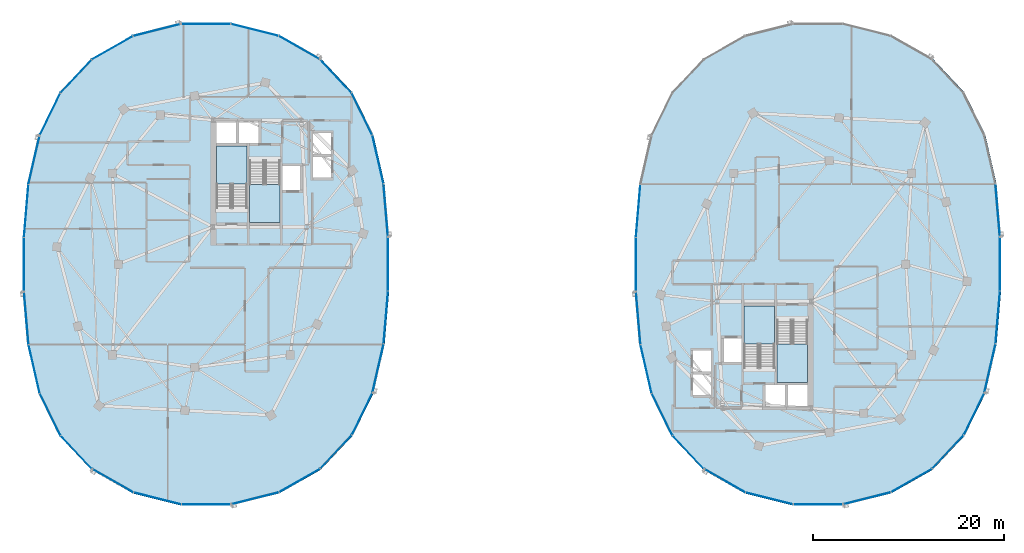
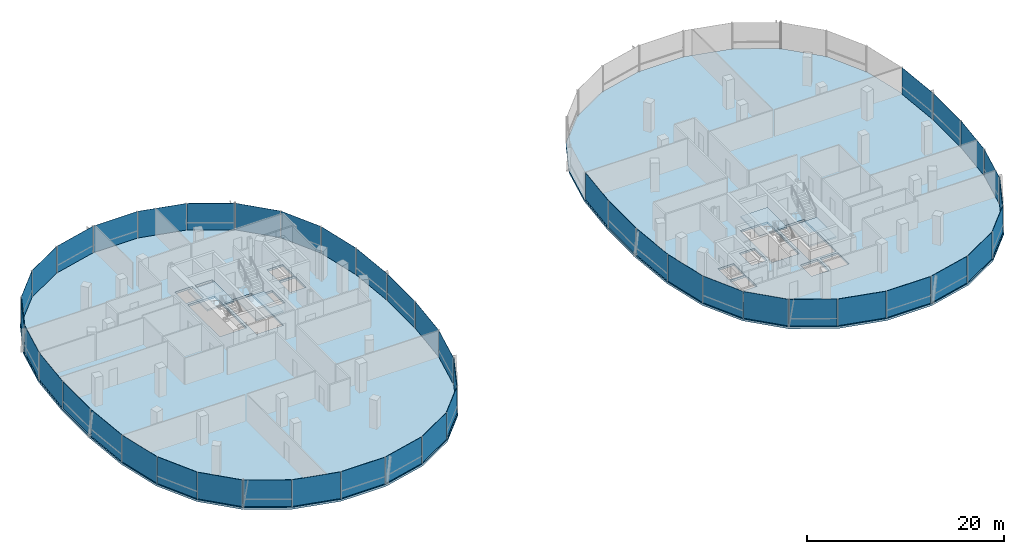
# One storey, part 13 of 25: 45 plates, 6 slabs, 12 elements without a shape of their own.
"""IFC4 building model written with IfcOpenShell, lengths in metres."""

import ifcopenshell
import ifcopenshell.guid

model = None  # the IFC model being written
_history = None  # IfcOwnerHistory: only IFC2X3 demands one
_inside = {}  # id of a spatial element -> (the spatial element, [elements in it])
_under = {}  # id of a project, library or spatial element -> (it, [spatial elements below it])
_declared = {}  # id of a project -> (the project, [libraries it declares])
_typed = {}  # id of a type object -> (the type object, [elements of that type])
_made_of = {}  # id of a material, layer set ... -> (it, [elements and type objects made of it])


def new_model(schema):
    """Start an empty IFC model of exactly this schema.

    Asked for "IFC4X3", IfcOpenShell would pick the latest addendum, in which some entities
    have other attributes; the version numbers below select the first issue.
    IFC2X3 requires an IfcOwnerHistory on every rooted entity: one is made here for all.
    """
    global model, _history
    if schema == "IFC4X3":
        model = ifcopenshell.file(schema_version=(4, 3, 0, 0))
    else:
        model = ifcopenshell.file(schema=schema)
    _inside.clear()
    _under.clear()
    _declared.clear()
    _typed.clear()
    _made_of.clear()
    _history = None
    if model.schema == "IFC2X3":
        org = make("IfcOrganization", Name="unknown")
        user = make(
            "IfcPersonAndOrganization",
            ThePerson=make("IfcPerson", FamilyName="unknown"),
            TheOrganization=org,
        )
        app = make(
            "IfcApplication",
            ApplicationDeveloper=org,
            Version="unknown",
            ApplicationFullName="unknown",
            ApplicationIdentifier="unknown",
        )
        _history = make(
            "IfcOwnerHistory",
            OwningUser=user,
            OwningApplication=app,
            ChangeAction="ADDED",
            CreationDate=0,
        )
    return model


def make(cls, **values):
    """One entity of the class cls with the attributes given. An attribute that is None is left unset."""
    return model.create_entity(
        cls, **{name: value for name, value in values.items() if value is not None}
    )


def rooted(cls, **values):
    """An entity with a GlobalId (a new one), such as an element, a storey or a relation."""
    return make(cls, GlobalId=ifcopenshell.guid.new(), OwnerHistory=_history, **values)


def si_unit(unit_type, name, prefix=None):
    """IfcSIUnit, for example si_unit("LENGTHUNIT", "METRE", prefix="MILLI")."""
    return make("IfcSIUnit", UnitType=unit_type, Prefix=prefix, Name=name)


def assignment(units):
    """IfcUnitAssignment: the units of a project."""
    return None if units is None else make("IfcUnitAssignment", Units=units)


def point(xyz):
    """IfcCartesianPoint."""
    return None if xyz is None else make("IfcCartesianPoint", Coordinates=xyz)


def direction(xyz):
    """IfcDirection."""
    return None if xyz is None else make("IfcDirection", DirectionRatios=xyz)


def frame(location, z_axis=None, x_axis=None):
    """IfcAxis2Placement3D, a coordinate frame: its origin and axes. An axis left out is left unset."""
    return make(
        "IfcAxis2Placement3D",
        Location=point(location),
        Axis=direction(z_axis),
        RefDirection=direction(x_axis),
    )


def frame_2d(location, x_axis=None):
    """IfcAxis2Placement2D, a coordinate frame in the plane: its origin and x axis."""
    return make(
        "IfcAxis2Placement2D", Location=point(location), RefDirection=direction(x_axis)
    )


def origin():
    """The frame at (0, 0, 0) with its axes left unset."""
    return frame((0.0, 0.0, 0.0))


def origin_2d():
    """The frame at (0, 0) in the plane with its x axis left unset."""
    return frame_2d((0.0, 0.0))


def place(relative_to, where):
    """IfcLocalPlacement: puts the frame where relative to a parent placement (None: the world)."""
    return make(
        "IfcLocalPlacement", PlacementRelTo=relative_to, RelativePlacement=where
    )


def context(
    kind, dimensions, precision=None, world=None, true_north=None, identifier=None
):
    """IfcGeometricRepresentationContext, for example the 3D "Model" context."""
    return make(
        "IfcGeometricRepresentationContext",
        ContextIdentifier=identifier,
        ContextType=kind,
        CoordinateSpaceDimension=dimensions,
        Precision=precision,
        WorldCoordinateSystem=world,
        TrueNorth=true_north,
    )


def subcontext(parent, identifier, kind, view, scale=None):
    """IfcGeometricRepresentationSubContext, for example "Body" below "Model"."""
    return make(
        "IfcGeometricRepresentationSubContext",
        ContextIdentifier=identifier,
        ContextType=kind,
        ParentContext=parent,
        TargetScale=scale,
        TargetView=view,
    )


def project(units=None, contexts=None):
    """IfcProject with its units and contexts."""
    return rooted(
        "IfcProject",
        Name="project",
        RepresentationContexts=contexts,
        UnitsInContext=assignment(units),
    )


def spatial(cls, under=None, at=None, **own):
    """A site, building, storey or space (cls), placed at a placement, below another one or the project."""
    s = rooted(cls, ObjectPlacement=at, **own)
    if under is not None:
        _under.setdefault(under.id(), (under, []))[1].append(s)
    return s


def polyline(points):
    """IfcPolyline through the points."""
    return make("IfcPolyline", Points=[point(p) for p in points])


def profile(cls, at=None, kind="AREA", **sizes):
    """A parametric profile (cls). Its sizes go by their IFC names, for example OverallWidth=200.0."""
    return make(cls, ProfileType=kind, Position=at, **sizes)


def rectangle(**sizes):
    """IfcRectangleProfileDef."""
    return profile("IfcRectangleProfileDef", **sizes)


def outline(outer, holes=None, kind="AREA"):
    """IfcArbitraryClosedProfileDef: a profile drawn as a closed curve; with holes, ...WithVoids."""
    if holes is None:
        return make("IfcArbitraryClosedProfileDef", ProfileType=kind, OuterCurve=outer)
    return make(
        "IfcArbitraryProfileDefWithVoids",
        ProfileType=kind,
        OuterCurve=outer,
        InnerCurves=holes,
    )


def extrude(swept, where, along, depth):
    """IfcExtrudedAreaSolid: the profile swept, set in the frame where, extruded along a direction by depth."""
    return make(
        "IfcExtrudedAreaSolid",
        SweptArea=swept,
        Position=where,
        ExtrudedDirection=direction(along),
        Depth=depth,
    )


def shape(context_of_items, identifier, shape_type, items):
    """IfcShapeRepresentation: the items that make up one representation, for example the "Body"."""
    return make(
        "IfcShapeRepresentation",
        ContextOfItems=context_of_items,
        RepresentationIdentifier=identifier,
        RepresentationType=shape_type,
        Items=items,
    )


def material(Name=None, Category=None):
    """IfcMaterial."""
    return make("IfcMaterial", Name=Name, Category=Category)


def layer(
    of_material, thickness, ventilated=None, Name=None, Category=None, Priority=None
):
    """IfcMaterialLayer: one layer of a wall or slab, of a material (None: an air gap)."""
    return make(
        "IfcMaterialLayer",
        Material=of_material,
        LayerThickness=thickness,
        IsVentilated=ventilated,
        Name=Name,
        Category=Category,
        Priority=Priority,
    )


def layer_set(layers, Name=None):
    """IfcMaterialLayerSet."""
    return make("IfcMaterialLayerSet", MaterialLayers=layers, LayerSetName=Name)


def made_of(thing, what):
    """Note that an element or type object is made of a material, layer set ...; save() writes the relation."""
    if what is not None:
        _made_of.setdefault(what.id(), (what, []))[1].append(thing)
    return thing


def type_object(cls, material=None, **own):
    """A type object (cls), such as IfcWallType, which elements share."""
    return made_of(rooted(cls, **own), material)


def element(
    cls,
    number,
    at=None,
    inside=None,
    cuts=None,
    type_object=None,
    material=None,
    context=None,
    identifier="Body",
    shape_type=None,
    held_by="IfcProductDefinitionShape",
    body=None,
    shapes=None,
    **own,
):
    """One element of the class cls, such as IfcWall. Its Tag is "e" and its number.

    at: its placement. inside: the storey or other place that contains it. cuts: it is an
    opening in that element (IfcRelVoidsElement). A single representation is given by context,
    identifier, shape_type and body (its items); several are given by shapes. held_by: the class
    of the entity that holds the representations. save() writes the other relations.
    """
    e = rooted(cls, Tag="e%d" % number, ObjectPlacement=at, **own)
    if body is not None:
        shapes = [shape(context, identifier, shape_type, body)]
    if shapes is not None:
        e.Representation = make(held_by, Representations=shapes)
    if inside is not None:
        _inside.setdefault(inside.id(), (inside, []))[1].append(e)
    if cuts is not None:
        rooted(
            "IfcRelVoidsElement", RelatingBuildingElement=cuts, RelatedOpeningElement=e
        )
    if type_object is not None:
        _typed.setdefault(type_object.id(), (type_object, []))[1].append(e)
    return made_of(e, material)


def aggregate(whole, parts):
    """IfcRelAggregates: a whole, such as a stair, and the parts it consists of."""
    return rooted("IfcRelAggregates", RelatingObject=whole, RelatedObjects=parts)


def save(model, path):
    """Write the relations noted so far, then the file.

    IfcRelAggregates (storeys below a building ...), IfcRelContainedInSpatialStructure (elements
    in a storey), IfcRelDefinesByType, IfcRelAssociatesMaterial and IfcRelDeclares: one each for
    every whole, place, type object, material and project.
    """
    for whole, parts in _under.values():
        aggregate(whole, parts)
    for where, things in _inside.values():
        rooted(
            "IfcRelContainedInSpatialStructure",
            RelatedElements=things,
            RelatingStructure=where,
        )
    for kind, things in _typed.values():
        rooted("IfcRelDefinesByType", RelatedObjects=things, RelatingType=kind)
    for what, things in _made_of.values():
        rooted("IfcRelAssociatesMaterial", RelatedObjects=things, RelatingMaterial=what)
    for by, libraries in _declared.values():
        rooted("IfcRelDeclares", RelatingContext=by, RelatedDefinitions=libraries)
    model.write(path)


model = new_model("IFC4")

# Units and contexts
model_context = context("Model", 3, precision=1e-05, world=origin(), true_north=direction((0.0, 1.0)))
body_context = subcontext(model_context, "Body", "Model", "MODEL_VIEW")
ifc_project = project(units=[si_unit("LENGTHUNIT", "METRE"), si_unit("AREAUNIT", "SQUARE_METRE"), si_unit("VOLUMEUNIT", "CUBIC_METRE"), si_unit("PLANEANGLEUNIT", "RADIAN"), si_unit("MASSUNIT", "GRAM", prefix="KILO"), si_unit("THERMODYNAMICTEMPERATUREUNIT", "KELVIN"), si_unit("POWERUNIT", "WATT")], contexts=[model_context])

# Site, building, storey
site_placement = place(None, origin())
site = spatial("IfcSite", under=ifc_project, at=site_placement, CompositionType="ELEMENT")
building_placement = place(site_placement, origin())
building = spatial("IfcBuilding", under=site, at=building_placement, Name="Cundina Bronze Exchange", CompositionType="ELEMENT")
storey_placement = place(building_placement, frame((0.0, 0.0, 209.800048828125)))
storey = spatial("IfcBuildingStorey", under=building, at=storey_placement, Name="L55", CompositionType="ELEMENT", Elevation=209.800048828125)

# Curtain wall, plates
ifc_material_1 = material(Name="Anodised Bronze Aluminium 6063-T6", Category="aluminium")
curtain_wall_type = type_object("IfcCurtainWallType", Name="CWS-UPP-OFF", PredefinedType="NOTDEFINED", material=ifc_material_1)
curtain_wall_1_placement = place(storey_placement, origin())
curtain_wall_1 = element("IfcCurtainWall", 1, at=curtain_wall_1_placement, inside=storey, type_object=curtain_wall_type, Name="L55 CW-05 Curtain Wall Run CWR-L55-W1", PredefinedType="NOTDEFINED")
ifc_material_2 = material(Name="Heat-Strengthened Solar-Control Bronze Safety Glass 28mm", Category="glass")
ifc_layer_1 = layer(ifc_material_2, 0.028076171875, Name="Heat-Strengthened Solar-Control Bronze Safety Glass 28mm", Category="glass")
ifc_layer_set_1 = layer_set([ifc_layer_1], Name="Heat-Strengthened Solar-Control Bronze Safety Glass 28mm")
plate_type_1 = type_object("IfcPlateType", Name="PLT-GLZ-VIS28", PredefinedType="CURTAIN_PANEL", material=ifc_layer_set_1)
plate_1_placement = place(storey_placement, frame((-13.198486328125, 5.60693359375, 0.02001953125), z_axis=(0.0, 0.0, 1.0), x_axis=(-0.083747411454, 0.996487015006, 0.0)))
plate_1 = element("IfcPlate", 2, at=plate_1_placement, type_object=plate_type_1, Name="CW-05 Glazed Panel 1", PredefinedType="CURTAIN_PANEL", context=body_context, shape_type="SweptSolid", body=[
    extrude(rectangle(XDim=5.474609375, YDim=0.028076171875, at=origin_2d()), origin(), (0.0, 0.0, 1.0), 3.300048828125),
])
plate_2_placement = place(storey_placement, frame((-14.01611328125, 10.92578125, 0.02001953125), z_axis=(0.0, 0.0, 1.0), x_axis=(-0.223284141459, 0.974753400698, 0.0)))
plate_2 = element("IfcPlate", 3, at=plate_2_placement, type_object=plate_type_1, Name="CW-05 Glazed Panel 2", PredefinedType="CURTAIN_PANEL", context=body_context, shape_type="SweptSolid", body=[
    extrude(rectangle(XDim=5.167724609375, YDim=0.028076171875, at=origin_2d()), origin(), (0.0, 0.0, 1.0), 3.300048828125),
])
plate_3_placement = place(storey_placement, frame((-15.685302734375, 15.686767578125, 0.02001953125), z_axis=(0.0, 0.0, 1.0), x_axis=(-0.440503330345, 0.897750976582, 0.0)))
plate_3 = element("IfcPlate", 4, at=plate_3_placement, type_object=plate_type_1, Name="CW-05 Glazed Panel 3", PredefinedType="CURTAIN_PANEL", context=body_context, shape_type="SweptSolid", body=[
    extrude(rectangle(XDim=4.863525390625, YDim=0.028076171875, at=origin_2d()), origin(), (0.0, 0.0, 1.0), 3.300048828125),
])
plate_4_placement = place(storey_placement, frame((-18.4208984375, 19.6552734375, 0.02001953125), z_axis=(0.0, 0.0, 1.0), x_axis=(-0.684343512797, 0.72915976061, 0.0)))
plate_4 = element("IfcPlate", 5, at=plate_4_placement, type_object=plate_type_1, Name="CW-05 Glazed Panel 4", PredefinedType="CURTAIN_PANEL", context=body_context, shape_type="SweptSolid", body=[
    extrude(rectangle(XDim=4.773193359375, YDim=0.028076171875, at=origin_2d()), origin(), (0.0, 0.0, 1.0), 3.300048828125),
])
plate_5_placement = place(storey_placement, frame((-26.88720703125, 24.49609375, 0.02001953125), z_axis=(0.0, 0.0, 1.0), x_axis=(-0.969731542251, 0.244173577528, 0.0)))
plate_5 = element("IfcPlate", 6, at=plate_5_placement, type_object=plate_type_1, Name="CW-05 Glazed Panel 6", PredefinedType="CURTAIN_PANEL", context=body_context, shape_type="SweptSolid", body=[
    extrude(rectangle(XDim=5.0908203125, YDim=0.028076171875, at=origin_2d()), origin(), (0.0, 0.0, 1.0), 3.300048828125),
])
plate_6_placement = place(storey_placement, frame((-32.0, 25.125, 0.02001953125), z_axis=(0.0, 0.0, 1.0), x_axis=(-1.0, 0.0, 0.0)))
plate_6 = element("IfcPlate", 7, at=plate_6_placement, type_object=plate_type_1, Name="CW-05 Glazed Panel 7", PredefinedType="CURTAIN_PANEL", context=body_context, shape_type="SweptSolid", body=[
    extrude(rectangle(XDim=5.16796875, YDim=0.028076171875, at=origin_2d()), origin(), (0.0, 0.0, 1.0), 3.300048828125),
])

curtain_wall_2_placement = place(storey_placement, origin())
curtain_wall_2 = element("IfcCurtainWall", 8, at=curtain_wall_2_placement, inside=storey, type_object=curtain_wall_type, Name="L55 CW-05 Curtain Wall Run CWR-L55-W2", PredefinedType="NOTDEFINED")
plate_7_placement = place(storey_placement, frame((-37.11279296875, 24.49609375, 0.02001953125), z_axis=(0.0, 0.0, 1.0), x_axis=(-0.969731542251, -0.244173577528, 0.0)))
plate_7 = element("IfcPlate", 9, at=plate_7_placement, type_object=plate_type_1, Name="CW-05 Glazed Panel 1", PredefinedType="CURTAIN_PANEL", context=body_context, shape_type="SweptSolid", body=[
    extrude(rectangle(XDim=5.0908203125, YDim=0.028076171875, at=origin_2d()), origin(), (0.0, 0.0, 1.0), 3.300048828125),
])
plate_8_placement = place(storey_placement, frame((-41.769287109375, 22.64111328125, 0.02001953125), z_axis=(0.0, 0.0, 1.0), x_axis=(-0.869572506985, -0.493805280547, 0.0)))
plate_8 = element("IfcPlate", 10, at=plate_8_placement, type_object=plate_type_1, Name="CW-05 Glazed Panel 2", PredefinedType="CURTAIN_PANEL", context=body_context, shape_type="SweptSolid", body=[
    extrude(rectangle(XDim=4.907958984375, YDim=0.028076171875, at=origin_2d()), origin(), (0.0, 0.0, 1.0), 3.300048828125),
])
plate_9_placement = place(storey_placement, frame((-45.5791015625, 19.6552734375, 0.02001953125), z_axis=(0.0, 0.0, 1.0), x_axis=(-0.684343512797, -0.72915976061, 0.0)))
plate_9 = element("IfcPlate", 11, at=plate_9_placement, type_object=plate_type_1, Name="CW-05 Glazed Panel 3", PredefinedType="CURTAIN_PANEL", context=body_context, shape_type="SweptSolid", body=[
    extrude(rectangle(XDim=4.773193359375, YDim=0.028076171875, at=origin_2d()), origin(), (0.0, 0.0, 1.0), 3.300048828125),
])
plate_10_placement = place(storey_placement, frame((-49.98388671875, 10.92578125, 0.02001953125), z_axis=(0.0, 0.0, 1.0), x_axis=(-0.223284141459, -0.974753400698, 0.0)))
plate_10 = element("IfcPlate", 12, at=plate_10_placement, type_object=plate_type_1, Name="CW-05 Glazed Panel 5", PredefinedType="CURTAIN_PANEL", context=body_context, shape_type="SweptSolid", body=[
    extrude(rectangle(XDim=5.167724609375, YDim=0.028076171875, at=origin_2d()), origin(), (0.0, 0.0, 1.0), 3.300048828125),
])
plate_11_placement = place(storey_placement, frame((-50.801513671875, 5.60693359375, 0.02001953125), z_axis=(0.0, 0.0, 1.0), x_axis=(-0.083747411454, -0.996487015006, 0.0)))
plate_11 = element("IfcPlate", 13, at=plate_11_placement, type_object=plate_type_1, Name="CW-05 Glazed Panel 6", PredefinedType="CURTAIN_PANEL", context=body_context, shape_type="SweptSolid", body=[
    extrude(rectangle(XDim=5.474609375, YDim=0.028076171875, at=origin_2d()), origin(), (0.0, 0.0, 1.0), 3.300048828125),
])
plate_12_placement = place(storey_placement, frame((-51.033935546875, 0.0, 0.02001953125), z_axis=(0.0, 0.0, 1.0), x_axis=(0.0, -1.0, 0.0)))
plate_12 = element("IfcPlate", 14, at=plate_12_placement, type_object=plate_type_1, Name="CW-05 Glazed Panel 7", PredefinedType="CURTAIN_PANEL", context=body_context, shape_type="SweptSolid", body=[
    extrude(rectangle(XDim=5.597900390625, YDim=0.028076171875, at=origin_2d()), origin(), (0.0, 0.0, 1.0), 3.300048828125),
])

curtain_wall_3_placement = place(storey_placement, origin())
curtain_wall_3 = element("IfcCurtainWall", 15, at=curtain_wall_3_placement, inside=storey, type_object=curtain_wall_type, Name="L55 CW-05 Curtain Wall Run CWR-L55-W3", PredefinedType="NOTDEFINED")
plate_13_placement = place(storey_placement, frame((-50.801513671875, -5.60693359375, 0.02001953125), z_axis=(0.0, 0.0, 1.0), x_axis=(0.083747411454, -0.996487015006, 0.0)))
plate_13 = element("IfcPlate", 16, at=plate_13_placement, type_object=plate_type_1, Name="CW-05 Glazed Panel 1", PredefinedType="CURTAIN_PANEL", context=body_context, shape_type="SweptSolid", body=[
    extrude(rectangle(XDim=5.474609375, YDim=0.028076171875, at=origin_2d()), origin(), (0.0, 0.0, 1.0), 3.300048828125),
])
plate_14_placement = place(storey_placement, frame((-49.98388671875, -10.92578125, 0.02001953125), z_axis=(0.0, 0.0, 1.0), x_axis=(0.223284141459, -0.974753400698, 0.0)))
plate_14 = element("IfcPlate", 17, at=plate_14_placement, type_object=plate_type_1, Name="CW-05 Glazed Panel 2", PredefinedType="CURTAIN_PANEL", context=body_context, shape_type="SweptSolid", body=[
    extrude(rectangle(XDim=5.167724609375, YDim=0.028076171875, at=origin_2d()), origin(), (0.0, 0.0, 1.0), 3.300048828125),
])
plate_15_placement = place(storey_placement, frame((-45.5791015625, -19.6552734375, 0.02001953125), z_axis=(0.0, 0.0, 1.0), x_axis=(0.684343512797, -0.72915976061, 0.0)))
plate_15 = element("IfcPlate", 18, at=plate_15_placement, type_object=plate_type_1, Name="CW-05 Glazed Panel 4", PredefinedType="CURTAIN_PANEL", context=body_context, shape_type="SweptSolid", body=[
    extrude(rectangle(XDim=4.773193359375, YDim=0.028076171875, at=origin_2d()), origin(), (0.0, 0.0, 1.0), 3.300048828125),
])
plate_16_placement = place(storey_placement, frame((-41.769287109375, -22.64111328125, 0.02001953125), z_axis=(0.0, 0.0, 1.0), x_axis=(0.869572506985, -0.493805280547, 0.0)))
plate_16 = element("IfcPlate", 19, at=plate_16_placement, type_object=plate_type_1, Name="CW-05 Glazed Panel 5", PredefinedType="CURTAIN_PANEL", context=body_context, shape_type="SweptSolid", body=[
    extrude(rectangle(XDim=4.907958984375, YDim=0.028076171875, at=origin_2d()), origin(), (0.0, 0.0, 1.0), 3.300048828125),
])
plate_17_placement = place(storey_placement, frame((-37.11279296875, -24.49609375, 0.02001953125), z_axis=(0.0, 0.0, 1.0), x_axis=(0.969731542251, -0.244173577528, 0.0)))
plate_17 = element("IfcPlate", 20, at=plate_17_placement, type_object=plate_type_1, Name="CW-05 Glazed Panel 6", PredefinedType="CURTAIN_PANEL", context=body_context, shape_type="SweptSolid", body=[
    extrude(rectangle(XDim=5.0908203125, YDim=0.028076171875, at=origin_2d()), origin(), (0.0, 0.0, 1.0), 3.300048828125),
])
plate_18_placement = place(storey_placement, frame((-32.0, -25.125, 0.02001953125), z_axis=(0.0, 0.0, 1.0), x_axis=(1.0, 0.0, 0.0)))
plate_18 = element("IfcPlate", 21, at=plate_18_placement, type_object=plate_type_1, Name="CW-05 Glazed Panel 7", PredefinedType="CURTAIN_PANEL", context=body_context, shape_type="SweptSolid", body=[
    extrude(rectangle(XDim=5.16796875, YDim=0.028076171875, at=origin_2d()), origin(), (0.0, 0.0, 1.0), 3.300048828125),
])

curtain_wall_4_placement = place(storey_placement, origin())
curtain_wall_4 = element("IfcCurtainWall", 22, at=curtain_wall_4_placement, inside=storey, type_object=curtain_wall_type, Name="L55 CW-05 Curtain Wall Run CWR-L55-W4", PredefinedType="NOTDEFINED")
plate_19_placement = place(storey_placement, frame((-26.88720703125, -24.49609375, 0.02001953125), z_axis=(0.0, 0.0, 1.0), x_axis=(0.969731542251, 0.244173577528, 0.0)))
plate_19 = element("IfcPlate", 23, at=plate_19_placement, type_object=plate_type_1, Name="CW-05 Glazed Panel 1", PredefinedType="CURTAIN_PANEL", context=body_context, shape_type="SweptSolid", body=[
    extrude(rectangle(XDim=5.0908203125, YDim=0.028076171875, at=origin_2d()), origin(), (0.0, 0.0, 1.0), 3.300048828125),
])
plate_20_placement = place(storey_placement, frame((-18.4208984375, -19.6552734375, 0.02001953125), z_axis=(0.0, 0.0, 1.0), x_axis=(0.684343512797, 0.72915976061, 0.0)))
plate_20 = element("IfcPlate", 24, at=plate_20_placement, type_object=plate_type_1, Name="CW-05 Glazed Panel 3", PredefinedType="CURTAIN_PANEL", context=body_context, shape_type="SweptSolid", body=[
    extrude(rectangle(XDim=4.773193359375, YDim=0.028076171875, at=origin_2d()), origin(), (0.0, 0.0, 1.0), 3.300048828125),
])
plate_21_placement = place(storey_placement, frame((-15.685302734375, -15.686767578125, 0.02001953125), z_axis=(0.0, 0.0, 1.0), x_axis=(0.440503330345, 0.897750976582, 0.0)))
plate_21 = element("IfcPlate", 25, at=plate_21_placement, type_object=plate_type_1, Name="CW-05 Glazed Panel 4", PredefinedType="CURTAIN_PANEL", context=body_context, shape_type="SweptSolid", body=[
    extrude(rectangle(XDim=4.863525390625, YDim=0.028076171875, at=origin_2d()), origin(), (0.0, 0.0, 1.0), 3.300048828125),
])
plate_22_placement = place(storey_placement, frame((-14.01611328125, -10.92578125, 0.02001953125), z_axis=(0.0, 0.0, 1.0), x_axis=(0.223284141459, 0.974753400698, 0.0)))
plate_22 = element("IfcPlate", 26, at=plate_22_placement, type_object=plate_type_1, Name="CW-05 Glazed Panel 5", PredefinedType="CURTAIN_PANEL", context=body_context, shape_type="SweptSolid", body=[
    extrude(rectangle(XDim=5.167724609375, YDim=0.028076171875, at=origin_2d()), origin(), (0.0, 0.0, 1.0), 3.300048828125),
])
plate_23_placement = place(storey_placement, frame((-13.198486328125, -5.60693359375, 0.02001953125), z_axis=(0.0, 0.0, 1.0), x_axis=(0.083747411454, 0.996487015006, 0.0)))
plate_23 = element("IfcPlate", 27, at=plate_23_placement, type_object=plate_type_1, Name="CW-05 Glazed Panel 6", PredefinedType="CURTAIN_PANEL", context=body_context, shape_type="SweptSolid", body=[
    extrude(rectangle(XDim=5.474609375, YDim=0.028076171875, at=origin_2d()), origin(), (0.0, 0.0, 1.0), 3.300048828125),
])

# Curtain wall, plate
curtain_wall_5_placement = place(storey_placement, origin())
curtain_wall_5 = element("IfcCurtainWall", 28, at=curtain_wall_5_placement, inside=storey, type_object=curtain_wall_type, Name="L55 CW-05 Curtain Wall Run CWR-L55-E1", PredefinedType="NOTDEFINED")
plate_24_placement = place(storey_placement, frame((50.801513671875, 5.60693359375, 0.02001953125), z_axis=(0.0, 0.0, 1.0), x_axis=(-0.083747411454, 0.996487015006, 0.0)))
plate_24 = element("IfcPlate", 29, at=plate_24_placement, type_object=plate_type_1, Name="CW-05 Glazed Panel 1", PredefinedType="CURTAIN_PANEL", context=body_context, shape_type="SweptSolid", body=[
    extrude(rectangle(XDim=5.474609375, YDim=0.028076171875, at=origin_2d()), origin(), (0.0, 0.0, 1.0), 3.300048828125),
])
aggregate(curtain_wall_5, [plate_24])

# Curtain wall, plates
curtain_wall_6_placement = place(storey_placement, origin())
curtain_wall_6 = element("IfcCurtainWall", 30, at=curtain_wall_6_placement, inside=storey, type_object=curtain_wall_type, Name="L55 CW-05 Curtain Wall Run CWR-L55-E2", PredefinedType="NOTDEFINED")
plate_25_placement = place(storey_placement, frame((13.198486328125, 5.60693359375, 0.02001953125), z_axis=(0.0, 0.0, 1.0), x_axis=(-0.083747411454, -0.996487015006, 0.0)))
plate_25 = element("IfcPlate", 31, at=plate_25_placement, type_object=plate_type_1, Name="CW-05 Glazed Panel 6", PredefinedType="CURTAIN_PANEL", context=body_context, shape_type="SweptSolid", body=[
    extrude(rectangle(XDim=5.474609375, YDim=0.028076171875, at=origin_2d()), origin(), (0.0, 0.0, 1.0), 3.300048828125),
])
plate_26_placement = place(storey_placement, frame((12.966064453125, 0.0, 0.02001953125), z_axis=(0.0, 0.0, 1.0), x_axis=(0.0, -1.0, 0.0)))
plate_26 = element("IfcPlate", 32, at=plate_26_placement, type_object=plate_type_1, Name="CW-05 Glazed Panel 7", PredefinedType="CURTAIN_PANEL", context=body_context, shape_type="SweptSolid", body=[
    extrude(rectangle(XDim=5.597900390625, YDim=0.028076171875, at=origin_2d()), origin(), (0.0, 0.0, 1.0), 3.300048828125),
])
aggregate(curtain_wall_6, [plate_25, plate_26])

curtain_wall_7_placement = place(storey_placement, origin())
curtain_wall_7 = element("IfcCurtainWall", 33, at=curtain_wall_7_placement, inside=storey, type_object=curtain_wall_type, Name="L55 CW-05 Curtain Wall Run CWR-L55-E3", PredefinedType="NOTDEFINED")
plate_27_placement = place(storey_placement, frame((13.198486328125, -5.60693359375, 0.02001953125), z_axis=(0.0, 0.0, 1.0), x_axis=(0.083747411454, -0.996487015006, 0.0)))
plate_27 = element("IfcPlate", 34, at=plate_27_placement, type_object=plate_type_1, Name="CW-05 Glazed Panel 1", PredefinedType="CURTAIN_PANEL", context=body_context, shape_type="SweptSolid", body=[
    extrude(rectangle(XDim=5.474609375, YDim=0.028076171875, at=origin_2d()), origin(), (0.0, 0.0, 1.0), 3.300048828125),
])
plate_28_placement = place(storey_placement, frame((14.01611328125, -10.92578125, 0.02001953125), z_axis=(0.0, 0.0, 1.0), x_axis=(0.223284141459, -0.974753400698, 0.0)))
plate_28 = element("IfcPlate", 35, at=plate_28_placement, type_object=plate_type_1, Name="CW-05 Glazed Panel 2", PredefinedType="CURTAIN_PANEL", context=body_context, shape_type="SweptSolid", body=[
    extrude(rectangle(XDim=5.167724609375, YDim=0.028076171875, at=origin_2d()), origin(), (0.0, 0.0, 1.0), 3.300048828125),
])
plate_29_placement = place(storey_placement, frame((18.4208984375, -19.6552734375, 0.02001953125), z_axis=(0.0, 0.0, 1.0), x_axis=(0.684343512797, -0.72915976061, 0.0)))
plate_29 = element("IfcPlate", 36, at=plate_29_placement, type_object=plate_type_1, Name="CW-05 Glazed Panel 4", PredefinedType="CURTAIN_PANEL", context=body_context, shape_type="SweptSolid", body=[
    extrude(rectangle(XDim=4.773193359375, YDim=0.028076171875, at=origin_2d()), origin(), (0.0, 0.0, 1.0), 3.300048828125),
])
plate_30_placement = place(storey_placement, frame((22.230712890625, -22.64111328125, 0.02001953125), z_axis=(0.0, 0.0, 1.0), x_axis=(0.869572506985, -0.493805280547, 0.0)))
plate_30 = element("IfcPlate", 37, at=plate_30_placement, type_object=plate_type_1, Name="CW-05 Glazed Panel 5", PredefinedType="CURTAIN_PANEL", context=body_context, shape_type="SweptSolid", body=[
    extrude(rectangle(XDim=4.907958984375, YDim=0.028076171875, at=origin_2d()), origin(), (0.0, 0.0, 1.0), 3.300048828125),
])
plate_31_placement = place(storey_placement, frame((26.88720703125, -24.49609375, 0.02001953125), z_axis=(0.0, 0.0, 1.0), x_axis=(0.969731542251, -0.244173577528, 0.0)))
plate_31 = element("IfcPlate", 38, at=plate_31_placement, type_object=plate_type_1, Name="CW-05 Glazed Panel 6", PredefinedType="CURTAIN_PANEL", context=body_context, shape_type="SweptSolid", body=[
    extrude(rectangle(XDim=5.0908203125, YDim=0.028076171875, at=origin_2d()), origin(), (0.0, 0.0, 1.0), 3.300048828125),
])
plate_32_placement = place(storey_placement, frame((32.0, -25.125, 0.02001953125), z_axis=(0.0, 0.0, 1.0), x_axis=(1.0, 0.0, 0.0)))
plate_32 = element("IfcPlate", 39, at=plate_32_placement, type_object=plate_type_1, Name="CW-05 Glazed Panel 7", PredefinedType="CURTAIN_PANEL", context=body_context, shape_type="SweptSolid", body=[
    extrude(rectangle(XDim=5.16796875, YDim=0.028076171875, at=origin_2d()), origin(), (0.0, 0.0, 1.0), 3.300048828125),
])

curtain_wall_8_placement = place(storey_placement, origin())
curtain_wall_8 = element("IfcCurtainWall", 40, at=curtain_wall_8_placement, inside=storey, type_object=curtain_wall_type, Name="L55 CW-05 Curtain Wall Run CWR-L55-E4", PredefinedType="NOTDEFINED")
plate_33_placement = place(storey_placement, frame((37.11279296875, -24.49609375, 0.02001953125), z_axis=(0.0, 0.0, 1.0), x_axis=(0.969731542251, 0.244173577528, 0.0)))
plate_33 = element("IfcPlate", 41, at=plate_33_placement, type_object=plate_type_1, Name="CW-05 Glazed Panel 1", PredefinedType="CURTAIN_PANEL", context=body_context, shape_type="SweptSolid", body=[
    extrude(rectangle(XDim=5.0908203125, YDim=0.028076171875, at=origin_2d()), origin(), (0.0, 0.0, 1.0), 3.300048828125),
])
plate_34_placement = place(storey_placement, frame((45.5791015625, -19.6552734375, 0.02001953125), z_axis=(0.0, 0.0, 1.0), x_axis=(0.684343512797, 0.72915976061, 0.0)))
plate_34 = element("IfcPlate", 42, at=plate_34_placement, type_object=plate_type_1, Name="CW-05 Glazed Panel 3", PredefinedType="CURTAIN_PANEL", context=body_context, shape_type="SweptSolid", body=[
    extrude(rectangle(XDim=4.773193359375, YDim=0.028076171875, at=origin_2d()), origin(), (0.0, 0.0, 1.0), 3.300048828125),
])
plate_35_placement = place(storey_placement, frame((48.314697265625, -15.686767578125, 0.02001953125), z_axis=(0.0, 0.0, 1.0), x_axis=(0.440503330345, 0.897750976582, 0.0)))
plate_35 = element("IfcPlate", 43, at=plate_35_placement, type_object=plate_type_1, Name="CW-05 Glazed Panel 4", PredefinedType="CURTAIN_PANEL", context=body_context, shape_type="SweptSolid", body=[
    extrude(rectangle(XDim=4.863525390625, YDim=0.028076171875, at=origin_2d()), origin(), (0.0, 0.0, 1.0), 3.300048828125),
])
plate_36_placement = place(storey_placement, frame((49.98388671875, -10.92578125, 0.02001953125), z_axis=(0.0, 0.0, 1.0), x_axis=(0.223284141459, 0.974753400698, 0.0)))
plate_36 = element("IfcPlate", 44, at=plate_36_placement, type_object=plate_type_1, Name="CW-05 Glazed Panel 5", PredefinedType="CURTAIN_PANEL", context=body_context, shape_type="SweptSolid", body=[
    extrude(rectangle(XDim=5.167724609375, YDim=0.028076171875, at=origin_2d()), origin(), (0.0, 0.0, 1.0), 3.300048828125),
])
plate_37_placement = place(storey_placement, frame((50.801513671875, -5.60693359375, 0.02001953125), z_axis=(0.0, 0.0, 1.0), x_axis=(0.083747411454, 0.996487015006, 0.0)))
plate_37 = element("IfcPlate", 45, at=plate_37_placement, type_object=plate_type_1, Name="CW-05 Glazed Panel 6", PredefinedType="CURTAIN_PANEL", context=body_context, shape_type="SweptSolid", body=[
    extrude(rectangle(XDim=5.474609375, YDim=0.028076171875, at=origin_2d()), origin(), (0.0, 0.0, 1.0), 3.300048828125),
])

# Plate
ifc_material_3 = material(Name="Dark Bronze Spandrel Glass Panel 32mm", Category="glass")
ifc_layer_2 = layer(ifc_material_3, 0.031982421875, Name="Dark Bronze Spandrel Glass Panel 32mm", Category="glass")
ifc_layer_set_2 = layer_set([ifc_layer_2], Name="Dark Bronze Spandrel Glass Panel 32mm")
plate_type_2 = type_object("IfcPlateType", Name="PLT-SPN-BRZ32", PredefinedType="CURTAIN_PANEL", material=ifc_layer_set_2)
plate_38_placement = place(storey_placement, frame((-22.230712890625, 22.64111328125, 0.02001953125), z_axis=(0.0, 0.0, 1.0), x_axis=(-0.869572506985, 0.493805280547, 0.0)))
plate_38 = element("IfcPlate", 46, at=plate_38_placement, type_object=plate_type_2, Name="CW-05 Glazed Panel 5", PredefinedType="CURTAIN_PANEL", context=body_context, shape_type="SweptSolid", body=[
    extrude(rectangle(XDim=4.907958984375, YDim=0.031982421875, at=origin_2d()), origin(), (0.0, 0.0, 1.0), 3.300048828125),
])

aggregate(curtain_wall_1, [plate_1, plate_2, plate_3, plate_4, plate_38, plate_5, plate_6])

plate_39_placement = place(storey_placement, frame((-48.314697265625, 15.686767578125, 0.02001953125), z_axis=(0.0, 0.0, 1.0), x_axis=(-0.440503330345, -0.897750976582, 0.0)))
plate_39 = element("IfcPlate", 47, at=plate_39_placement, type_object=plate_type_2, Name="CW-05 Glazed Panel 4", PredefinedType="CURTAIN_PANEL", context=body_context, shape_type="SweptSolid", body=[
    extrude(rectangle(XDim=4.863525390625, YDim=0.031982421875, at=origin_2d()), origin(), (0.0, 0.0, 1.0), 3.300048828125),
])

aggregate(curtain_wall_2, [plate_7, plate_8, plate_9, plate_39, plate_10, plate_11, plate_12])

plate_40_placement = place(storey_placement, frame((-48.314697265625, -15.686767578125, 0.02001953125), z_axis=(0.0, 0.0, 1.0), x_axis=(0.440503330345, -0.897750976582, 0.0)))
plate_40 = element("IfcPlate", 48, at=plate_40_placement, type_object=plate_type_2, Name="CW-05 Glazed Panel 3", PredefinedType="CURTAIN_PANEL", context=body_context, shape_type="SweptSolid", body=[
    extrude(rectangle(XDim=4.863525390625, YDim=0.031982421875, at=origin_2d()), origin(), (0.0, 0.0, 1.0), 3.300048828125),
])

aggregate(curtain_wall_3, [plate_13, plate_14, plate_40, plate_15, plate_16, plate_17, plate_18])

plate_41_placement = place(storey_placement, frame((-22.230712890625, -22.64111328125, 0.02001953125), z_axis=(0.0, 0.0, 1.0), x_axis=(0.869572506985, 0.493805280547, 0.0)))
plate_41 = element("IfcPlate", 49, at=plate_41_placement, type_object=plate_type_2, Name="CW-05 Glazed Panel 2", PredefinedType="CURTAIN_PANEL", context=body_context, shape_type="SweptSolid", body=[
    extrude(rectangle(XDim=4.907958984375, YDim=0.031982421875, at=origin_2d()), origin(), (0.0, 0.0, 1.0), 3.300048828125),
])

plate_42_placement = place(storey_placement, frame((-12.966064453125, 0.0, 0.02001953125), z_axis=(0.0, 0.0, 1.0), x_axis=(0.0, 1.0, 0.0)))
plate_42 = element("IfcPlate", 50, at=plate_42_placement, type_object=plate_type_2, Name="CW-05 Glazed Panel 7", PredefinedType="CURTAIN_PANEL", context=body_context, shape_type="SweptSolid", body=[
    extrude(rectangle(XDim=5.597900390625, YDim=0.031982421875, at=origin_2d()), origin(), (0.0, 0.0, 1.0), 3.300048828125),
])

aggregate(curtain_wall_4, [plate_19, plate_41, plate_20, plate_21, plate_22, plate_23, plate_42])

plate_43_placement = place(storey_placement, frame((15.685302734375, -15.686767578125, 0.02001953125), z_axis=(0.0, 0.0, 1.0), x_axis=(0.440503330345, -0.897750976582, 0.0)))
plate_43 = element("IfcPlate", 51, at=plate_43_placement, type_object=plate_type_2, Name="CW-05 Glazed Panel 3", PredefinedType="CURTAIN_PANEL", context=body_context, shape_type="SweptSolid", body=[
    extrude(rectangle(XDim=4.863525390625, YDim=0.031982421875, at=origin_2d()), origin(), (0.0, 0.0, 1.0), 3.300048828125),
])

aggregate(curtain_wall_7, [plate_27, plate_28, plate_43, plate_29, plate_30, plate_31, plate_32])

plate_44_placement = place(storey_placement, frame((41.769287109375, -22.64111328125, 0.02001953125), z_axis=(0.0, 0.0, 1.0), x_axis=(0.869572506985, 0.493805280547, 0.0)))
plate_44 = element("IfcPlate", 52, at=plate_44_placement, type_object=plate_type_2, Name="CW-05 Glazed Panel 2", PredefinedType="CURTAIN_PANEL", context=body_context, shape_type="SweptSolid", body=[
    extrude(rectangle(XDim=4.907958984375, YDim=0.031982421875, at=origin_2d()), origin(), (0.0, 0.0, 1.0), 3.300048828125),
])

plate_45_placement = place(storey_placement, frame((51.033935546875, 0.0, 0.02001953125), z_axis=(0.0, 0.0, 1.0), x_axis=(0.0, 1.0, 0.0)))
plate_45 = element("IfcPlate", 53, at=plate_45_placement, type_object=plate_type_2, Name="CW-05 Glazed Panel 7", PredefinedType="CURTAIN_PANEL", context=body_context, shape_type="SweptSolid", body=[
    extrude(rectangle(XDim=5.597900390625, YDim=0.031982421875, at=origin_2d()), origin(), (0.0, 0.0, 1.0), 3.300048828125),
])

aggregate(curtain_wall_8, [plate_33, plate_44, plate_34, plate_35, plate_36, plate_37, plate_45])

# Stair, slab
ifc_material_4 = material(Name="Concrete C40/50", Category="concrete")
stair_type = type_object("IfcStairType", Name="STR-OFF-360", PredefinedType="HALF_TURN_STAIR", material=ifc_material_4)
stair_1_placement = place(storey_placement, origin())
stair_1 = element("IfcStair", 54, at=stair_1_placement, inside=storey, type_object=stair_type, Name="L55 Smokeproof Exit Stair W1", PredefinedType="HALF_TURN_STAIR")
ifc_layer_3 = layer(ifc_material_4, 0.199951171875, Name="Concrete C40/50", Category="concrete")
ifc_layer_set_3 = layer_set([ifc_layer_3], Name="Concrete C40/50")
slab_type_1 = type_object("IfcSlabType", Name="SLB-LND-200", PredefinedType="LANDING", material=ifc_layer_set_3)
slab_1_placement = place(storey_placement, frame((0.0, 0.0, 1.599853515625)))
slab_1 = element("IfcSlab", 55, at=slab_1_placement, type_object=slab_type_1, Name="ST-W1 landing 1", PredefinedType="LANDING", context=body_context, shape_type="SweptSolid", body=[
    extrude(outline(polyline([(-27.739990234375, 8.3701171875), (-27.739990234375, 12.35009765625), (-30.89990234375, 12.35009765625), (-30.89990234375, 8.3701171875), (-27.739990234375, 8.3701171875)])), origin(), (0.0, 0.0, 1.0), 0.2001953125),
])
aggregate(stair_1, [slab_1])

stair_2_placement = place(storey_placement, origin())
stair_2 = element("IfcStair", 56, at=stair_2_placement, inside=storey, type_object=stair_type, Name="L55 Smokeproof Exit Stair W2", PredefinedType="HALF_TURN_STAIR")
slab_2_placement = place(storey_placement, frame((0.0, 0.0, 1.599853515625)))
slab_2 = element("IfcSlab", 57, at=slab_2_placement, type_object=slab_type_1, Name="ST-W2 landing 1", PredefinedType="LANDING", context=body_context, shape_type="SweptSolid", body=[
    extrude(outline(polyline([(-27.43994140625, 8.330078125), (-27.43994140625, 4.35009765625), (-24.280029296875, 4.35009765625), (-24.280029296875, 8.330078125), (-27.43994140625, 8.330078125)])), origin(), (0.0, 0.0, 1.0), 0.2001953125),
])
aggregate(stair_2, [slab_2])

stair_3_placement = place(storey_placement, origin())
stair_3 = element("IfcStair", 58, at=stair_3_placement, inside=storey, type_object=stair_type, Name="L55 Smokeproof Exit Stair E1", PredefinedType="HALF_TURN_STAIR")
slab_3_placement = place(storey_placement, frame((0.0, 0.0, 1.599853515625)))
slab_3 = element("IfcSlab", 59, at=slab_3_placement, type_object=slab_type_1, Name="ST-E1 landing 1", PredefinedType="LANDING", context=body_context, shape_type="SweptSolid", body=[
    extrude(outline(polyline([(27.739990234375, -8.3701171875), (27.739990234375, -12.35009765625), (30.89990234375, -12.35009765625), (30.89990234375, -8.3701171875), (27.739990234375, -8.3701171875)])), origin(), (0.0, 0.0, 1.0), 0.2001953125),
])
aggregate(stair_3, [slab_3])

stair_4_placement = place(storey_placement, origin())
stair_4 = element("IfcStair", 60, at=stair_4_placement, inside=storey, type_object=stair_type, Name="L55 Smokeproof Exit Stair E2", PredefinedType="HALF_TURN_STAIR")
slab_4_placement = place(storey_placement, frame((0.0, 0.0, 1.599853515625)))
slab_4 = element("IfcSlab", 61, at=slab_4_placement, type_object=slab_type_1, Name="ST-E2 landing 1", PredefinedType="LANDING", context=body_context, shape_type="SweptSolid", body=[
    extrude(outline(polyline([(27.43994140625, -8.330078125), (27.43994140625, -4.35009765625), (24.280029296875, -4.35009765625), (24.280029296875, -8.330078125), (27.43994140625, -8.330078125)])), origin(), (0.0, 0.0, 1.0), 0.2001953125),
])
aggregate(stair_4, [slab_4])

# Slabs
ifc_material_5 = material(Name="Concrete C50/60", Category="concrete")
ifc_layer_4 = layer(ifc_material_5, 0.260009765625, Name="Concrete C50/60", Category="concrete")
ifc_layer_set_4 = layer_set([ifc_layer_4], Name="Concrete C50/60")
slab_type_2 = type_object("IfcSlabType", Name="SLB-OFF-260", PredefinedType="FLOOR", material=ifc_layer_set_4)
slab_5_placement = place(storey_placement, frame((0.0, 0.0, -0.260009765625)))
element("IfcSlab", 62, at=slab_5_placement, inside=storey, type_object=slab_type_2, Name="L55 Leg W Structural Floor Slab", PredefinedType="FLOOR", context=body_context, shape_type="SweptSolid", body=[
    extrude(outline(polyline([(-12.85107421875, 2.843994140625), (-13.31689453125, 8.388916015625), (-14.490966796875, 13.513916015625), (-16.673095703125, 17.9609375), (-20.0009765625, 21.507080078125), (-24.346923828125, 23.97509765625), (-29.37109375, 25.239990234375), (-34.62890625, 25.239990234375), (-39.653076171875, 23.97509765625), (-43.9990234375, 21.507080078125), (-47.326904296875, 17.9609375), (-49.509033203125, 13.513916015625), (-50.68310546875, 8.388916015625), (-51.14892578125, 2.843994140625), (-51.14892578125, -2.843994140625), (-50.68310546875, -8.388916015625), (-49.509033203125, -13.513916015625), (-47.326904296875, -17.9609375), (-43.9990234375, -21.507080078125), (-39.653076171875, -23.97509765625), (-34.62890625, -25.239990234375), (-29.37109375, -25.239990234375), (-24.346923828125, -23.97509765625), (-20.0009765625, -21.507080078125), (-16.673095703125, -17.9609375), (-14.490966796875, -13.513916015625), (-13.31689453125, -8.388916015625), (-12.85107421875, -2.843994140625), (-12.85107421875, 2.843994140625)]), holes=[polyline([(-27.739990234375, 5.85009765625), (-27.739990234375, 12.35009765625), (-30.89990234375, 12.35009765625), (-30.89990234375, 5.85009765625), (-27.739990234375, 5.85009765625)]), polyline([(-27.43994140625, 10.85009765625), (-27.43994140625, 4.35009765625), (-24.280029296875, 4.35009765625), (-24.280029296875, 10.85009765625), (-27.43994140625, 10.85009765625)]), polyline([(-23.97998046875, 10.25), (-22.179931640625, 10.25), (-22.179931640625, 7.75), (-23.97998046875, 7.75), (-23.97998046875, 10.25)]), polyline([(-30.89990234375, 14.949951171875), (-28.85009765625, 14.949951171875), (-28.85009765625, 12.64990234375), (-30.89990234375, 12.64990234375), (-30.89990234375, 14.949951171875)]), polyline([(-28.550048828125, 14.949951171875), (-26.5, 14.949951171875), (-26.5, 12.64990234375), (-28.550048828125, 12.64990234375), (-28.550048828125, 14.949951171875)]), polyline([(-20.800048828125, 13.699951171875), (-18.949951171875, 13.699951171875), (-18.949951171875, 11.449951171875), (-20.800048828125, 11.449951171875), (-20.800048828125, 13.699951171875)]), polyline([(-20.800048828125, 11.300048828125), (-18.949951171875, 11.300048828125), (-18.949951171875, 9.050048828125), (-20.800048828125, 9.050048828125), (-20.800048828125, 11.300048828125)])]), origin(), (0.0, 0.0, 1.0), 0.260009765625),
])
slab_6_placement = place(storey_placement, frame((0.0, 0.0, -0.260009765625)))
element("IfcSlab", 63, at=slab_6_placement, inside=storey, type_object=slab_type_2, Name="L55 Leg E Structural Floor Slab", PredefinedType="FLOOR", context=body_context, shape_type="SweptSolid", body=[
    extrude(outline(polyline([(51.14892578125, 2.843994140625), (50.68310546875, 8.388916015625), (49.509033203125, 13.513916015625), (47.326904296875, 17.9609375), (43.9990234375, 21.507080078125), (39.653076171875, 23.97509765625), (34.62890625, 25.239990234375), (29.37109375, 25.239990234375), (24.346923828125, 23.97509765625), (20.0009765625, 21.507080078125), (16.673095703125, 17.9609375), (14.490966796875, 13.513916015625), (13.31689453125, 8.388916015625), (12.85107421875, 2.843994140625), (12.85107421875, -2.843994140625), (13.31689453125, -8.388916015625), (14.490966796875, -13.513916015625), (16.673095703125, -17.9609375), (20.0009765625, -21.507080078125), (24.346923828125, -23.97509765625), (29.37109375, -25.239990234375), (34.62890625, -25.239990234375), (39.653076171875, -23.97509765625), (43.9990234375, -21.507080078125), (47.326904296875, -17.9609375), (49.509033203125, -13.513916015625), (50.68310546875, -8.388916015625), (51.14892578125, -2.843994140625), (51.14892578125, 2.843994140625)]), holes=[polyline([(27.739990234375, -5.85009765625), (27.739990234375, -12.35009765625), (30.89990234375, -12.35009765625), (30.89990234375, -5.85009765625), (27.739990234375, -5.85009765625)]), polyline([(27.43994140625, -10.85009765625), (27.43994140625, -4.35009765625), (24.280029296875, -4.35009765625), (24.280029296875, -10.85009765625), (27.43994140625, -10.85009765625)]), polyline([(22.179931640625, -7.75), (23.97998046875, -7.75), (23.97998046875, -10.25), (22.179931640625, -10.25), (22.179931640625, -7.75)]), polyline([(28.85009765625, -12.64990234375), (30.89990234375, -12.64990234375), (30.89990234375, -14.949951171875), (28.85009765625, -14.949951171875), (28.85009765625, -12.64990234375)]), polyline([(26.5, -12.64990234375), (28.550048828125, -12.64990234375), (28.550048828125, -14.949951171875), (26.5, -14.949951171875), (26.5, -12.64990234375)]), polyline([(18.949951171875, -11.449951171875), (20.800048828125, -11.449951171875), (20.800048828125, -13.699951171875), (18.949951171875, -13.699951171875), (18.949951171875, -11.449951171875)]), polyline([(18.949951171875, -9.050048828125), (20.800048828125, -9.050048828125), (20.800048828125, -11.300048828125), (18.949951171875, -11.300048828125), (18.949951171875, -9.050048828125)])]), origin(), (0.0, 0.0, 1.0), 0.260009765625),
])

save(model, "model.ifc")
